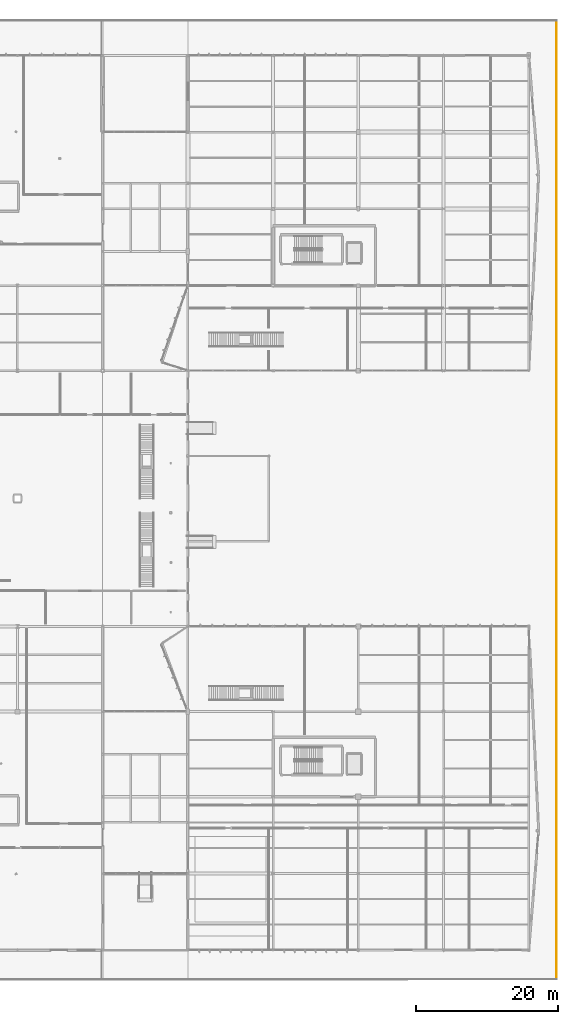
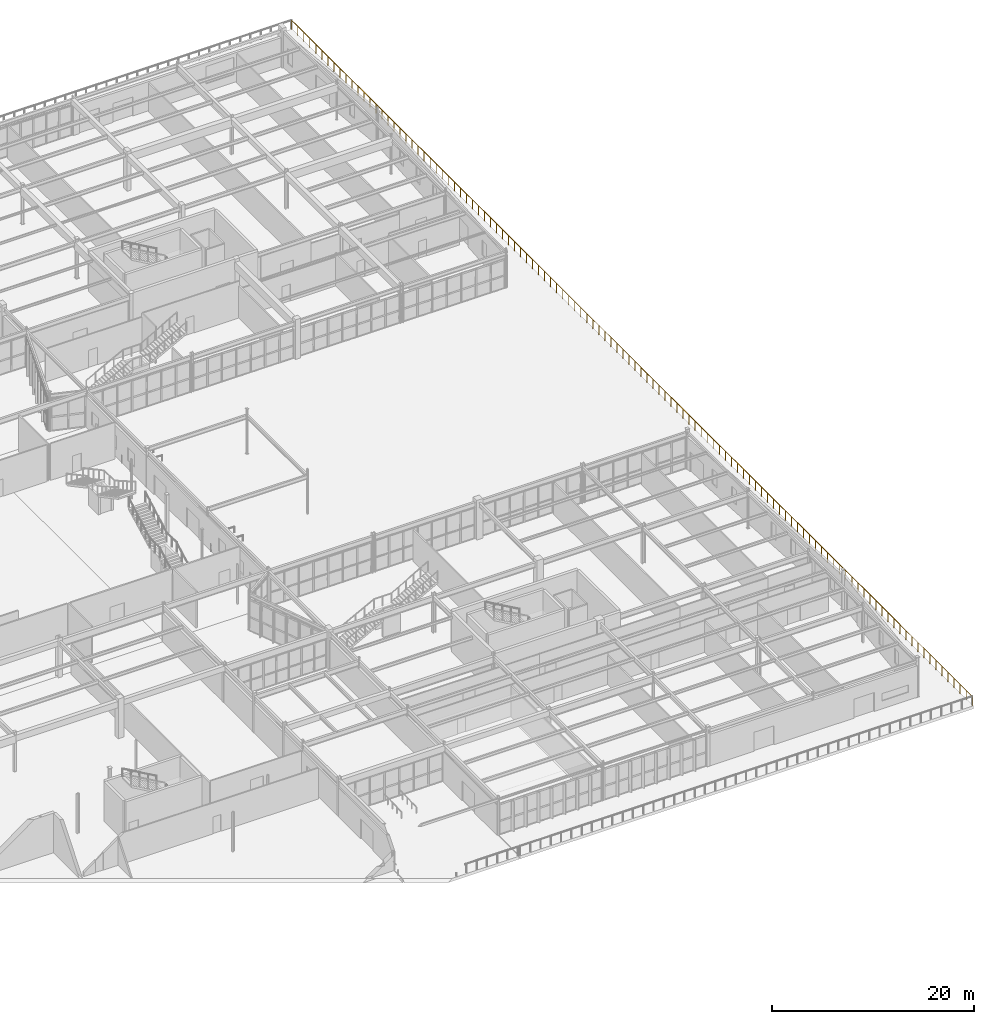
# One storey, part 194 of 199: 1 railing.
"""IFC4 building model written with IfcOpenShell, lengths in metres."""

from ifc_helpers import new_model, si_unit, direction, frame, origin, origin_2d, place, context, subcontext, project, spatial, circle, extrude, material, type_object, element, save


model = new_model("IFC4")

# Units and contexts
model_context = context("Model", 3, precision=1e-05, world=origin(), true_north=direction((0.0, 1.0)))
body_context = subcontext(model_context, "Body", "Model", "MODEL_VIEW")
ifc_project = project(units=[si_unit("LENGTHUNIT", "METRE"), si_unit("AREAUNIT", "SQUARE_METRE"), si_unit("VOLUMEUNIT", "CUBIC_METRE"), si_unit("PLANEANGLEUNIT", "RADIAN"), si_unit("MASSUNIT", "GRAM", prefix="KILO")], contexts=[model_context])

# Site, building, storey
site_placement = place(None, origin())
site = spatial("IfcSite", under=ifc_project, at=site_placement, CompositionType="ELEMENT")
building_placement = place(site_placement, origin())
building = spatial("IfcBuilding", under=site, at=building_placement, Name="Tarnwether General Hospital", CompositionType="ELEMENT")
storey_placement = place(building_placement, origin())
storey = spatial("IfcBuildingStorey", under=building, at=storey_placement, Name="L00", CompositionType="ELEMENT", Elevation=0.0)

# Railing
ifc_material = material(Name="Anodised aluminium", Category="aluminium")
railing_type = type_object("IfcRailingType", Name="RL-GRD-EXT", PredefinedType="GUARDRAIL", material=ifc_material)
railing_placement = place(storey_placement, frame((195.919921875, 130.919921875, 0.0)))
element("IfcRailing", 1, at=railing_placement, inside=storey, type_object=railing_type, Name="L00 Upper Scarp Arrival Plaza and Street Terrace SL-L00-PLAZA Guard 0001", PredefinedType="GUARDRAIL", context=body_context, shape_type="SweptSolid", body=[
    extrude(circle(Radius=0.02392578125, at=origin_2d()), frame((0.0, 0.0, 1.1259765625), z_axis=(0.0, -1.0, 0.0), x_axis=(1.0, 0.0, 0.0)), (0.0, 0.0, 1.0), 135.0400390625),
    extrude(circle(Radius=0.02099609375, at=origin_2d()), origin(), (0.0, 0.0, 1.0), 1.101806640625),
    extrude(circle(Radius=0.02099609375, at=origin_2d()), frame((0.0, -1.195068359375, 0.0)), (0.0, 0.0, 1.0), 1.101806640625),
    extrude(circle(Radius=0.02099609375, at=origin_2d()), frame((0.0, -2.39013671875, 0.0)), (0.0, 0.0, 1.0), 1.101806640625),
    extrude(circle(Radius=0.02099609375, at=origin_2d()), frame((0.0, -3.585205078125, 0.0)), (0.0, 0.0, 1.0), 1.101806640625),
    extrude(circle(Radius=0.02099609375, at=origin_2d()), frame((0.0, -4.7802734375, 0.0)), (0.0, 0.0, 1.0), 1.101806640625),
    extrude(circle(Radius=0.02099609375, at=origin_2d()), frame((0.0, -5.975341796875, 0.0)), (0.0, 0.0, 1.0), 1.101806640625),
    extrude(circle(Radius=0.02099609375, at=origin_2d()), frame((0.0, -7.170166015625, 0.0)), (0.0, 0.0, 1.0), 1.101806640625),
    extrude(circle(Radius=0.02099609375, at=origin_2d()), frame((0.0, -8.365234375, 0.0)), (0.0, 0.0, 1.0), 1.101806640625),
    extrude(circle(Radius=0.02099609375, at=origin_2d()), frame((0.0, -9.560302734375, 0.0)), (0.0, 0.0, 1.0), 1.101806640625),
    extrude(circle(Radius=0.02099609375, at=origin_2d()), frame((0.0, -10.75537109375, 0.0)), (0.0, 0.0, 1.0), 1.101806640625),
    extrude(circle(Radius=0.02099609375, at=origin_2d()), frame((0.0, -11.950439453125, 0.0)), (0.0, 0.0, 1.0), 1.101806640625),
    extrude(circle(Radius=0.02099609375, at=origin_2d()), frame((0.0, -13.1455078125, 0.0)), (0.0, 0.0, 1.0), 1.101806640625),
    extrude(circle(Radius=0.02099609375, at=origin_2d()), frame((0.0, -14.340576171875, 0.0)), (0.0, 0.0, 1.0), 1.101806640625),
    extrude(circle(Radius=0.02099609375, at=origin_2d()), frame((0.0, -15.53564453125, 0.0)), (0.0, 0.0, 1.0), 1.101806640625),
    extrude(circle(Radius=0.02099609375, at=origin_2d()), frame((0.0, -16.730712890625, 0.0)), (0.0, 0.0, 1.0), 1.101806640625),
    extrude(circle(Radius=0.02099609375, at=origin_2d()), frame((0.0, -17.92578125, 0.0)), (0.0, 0.0, 1.0), 1.101806640625),
    extrude(circle(Radius=0.02099609375, at=origin_2d()), frame((0.0, -19.12060546875, 0.0)), (0.0, 0.0, 1.0), 1.101806640625),
    extrude(circle(Radius=0.02099609375, at=origin_2d()), frame((0.0, -20.315673828125, 0.0)), (0.0, 0.0, 1.0), 1.101806640625),
    extrude(circle(Radius=0.02099609375, at=origin_2d()), frame((0.0, -21.5107421875, 0.0)), (0.0, 0.0, 1.0), 1.101806640625),
    extrude(circle(Radius=0.02099609375, at=origin_2d()), frame((0.0, -22.705810546875, 0.0)), (0.0, 0.0, 1.0), 1.101806640625),
    extrude(circle(Radius=0.02099609375, at=origin_2d()), frame((0.0, -23.90087890625, 0.0)), (0.0, 0.0, 1.0), 1.101806640625),
    extrude(circle(Radius=0.02099609375, at=origin_2d()), frame((0.0, -25.095947265625, 0.0)), (0.0, 0.0, 1.0), 1.101806640625),
    extrude(circle(Radius=0.02099609375, at=origin_2d()), frame((0.0, -26.291015625, 0.0)), (0.0, 0.0, 1.0), 1.101806640625),
    extrude(circle(Radius=0.02099609375, at=origin_2d()), frame((0.0, -27.486083984375, 0.0)), (0.0, 0.0, 1.0), 1.101806640625),
    extrude(circle(Radius=0.02099609375, at=origin_2d()), frame((0.0, -28.68115234375, 0.0)), (0.0, 0.0, 1.0), 1.101806640625),
    extrude(circle(Radius=0.02099609375, at=origin_2d()), frame((0.0, -29.876220703125, 0.0)), (0.0, 0.0, 1.0), 1.101806640625),
    extrude(circle(Radius=0.02099609375, at=origin_2d()), frame((0.0, -31.071044921875, 0.0)), (0.0, 0.0, 1.0), 1.101806640625),
    extrude(circle(Radius=0.02099609375, at=origin_2d()), frame((0.0, -32.26611328125, 0.0)), (0.0, 0.0, 1.0), 1.101806640625),
    extrude(circle(Radius=0.02099609375, at=origin_2d()), frame((0.0, -33.461181640625, 0.0)), (0.0, 0.0, 1.0), 1.101806640625),
    extrude(circle(Radius=0.02099609375, at=origin_2d()), frame((0.0, -34.65625, 0.0)), (0.0, 0.0, 1.0), 1.101806640625),
    extrude(circle(Radius=0.02099609375, at=origin_2d()), frame((0.0, -35.851318359375, 0.0)), (0.0, 0.0, 1.0), 1.101806640625),
    extrude(circle(Radius=0.02099609375, at=origin_2d()), frame((0.0, -37.04638671875, 0.0)), (0.0, 0.0, 1.0), 1.101806640625),
    extrude(circle(Radius=0.02099609375, at=origin_2d()), frame((0.0, -38.241455078125, 0.0)), (0.0, 0.0, 1.0), 1.101806640625),
    extrude(circle(Radius=0.02099609375, at=origin_2d()), frame((0.0, -39.4365234375, 0.0)), (0.0, 0.0, 1.0), 1.101806640625),
    extrude(circle(Radius=0.02099609375, at=origin_2d()), frame((0.0, -40.631591796875, 0.0)), (0.0, 0.0, 1.0), 1.101806640625),
    extrude(circle(Radius=0.02099609375, at=origin_2d()), frame((0.0, -41.82666015625, 0.0)), (0.0, 0.0, 1.0), 1.101806640625),
    extrude(circle(Radius=0.02099609375, at=origin_2d()), frame((0.0, -43.021484375, 0.0)), (0.0, 0.0, 1.0), 1.101806640625),
    extrude(circle(Radius=0.02099609375, at=origin_2d()), frame((0.0, -44.216552734375, 0.0)), (0.0, 0.0, 1.0), 1.101806640625),
    extrude(circle(Radius=0.02099609375, at=origin_2d()), frame((0.0, -45.41162109375, 0.0)), (0.0, 0.0, 1.0), 1.101806640625),
    extrude(circle(Radius=0.02099609375, at=origin_2d()), frame((0.0, -46.606689453125, 0.0)), (0.0, 0.0, 1.0), 1.101806640625),
    extrude(circle(Radius=0.02099609375, at=origin_2d()), frame((0.0, -47.8017578125, 0.0)), (0.0, 0.0, 1.0), 1.101806640625),
    extrude(circle(Radius=0.02099609375, at=origin_2d()), frame((0.0, -48.996826171875, 0.0)), (0.0, 0.0, 1.0), 1.101806640625),
    extrude(circle(Radius=0.02099609375, at=origin_2d()), frame((0.0, -50.19189453125, 0.0)), (0.0, 0.0, 1.0), 1.101806640625),
    extrude(circle(Radius=0.02099609375, at=origin_2d()), frame((0.0, -51.386962890625, 0.0)), (0.0, 0.0, 1.0), 1.101806640625),
    extrude(circle(Radius=0.02099609375, at=origin_2d()), frame((0.0, -52.58203125, 0.0)), (0.0, 0.0, 1.0), 1.101806640625),
    extrude(circle(Radius=0.02099609375, at=origin_2d()), frame((0.0, -53.777099609375, 0.0)), (0.0, 0.0, 1.0), 1.101806640625),
    extrude(circle(Radius=0.02099609375, at=origin_2d()), frame((0.0, -54.97216796875, 0.0)), (0.0, 0.0, 1.0), 1.101806640625),
    extrude(circle(Radius=0.02099609375, at=origin_2d()), frame((0.0, -56.1669921875, 0.0)), (0.0, 0.0, 1.0), 1.101806640625),
    extrude(circle(Radius=0.02099609375, at=origin_2d()), frame((0.0, -57.362060546875, 0.0)), (0.0, 0.0, 1.0), 1.101806640625),
    extrude(circle(Radius=0.02099609375, at=origin_2d()), frame((0.0, -58.55712890625, 0.0)), (0.0, 0.0, 1.0), 1.101806640625),
    extrude(circle(Radius=0.02099609375, at=origin_2d()), frame((0.0, -59.752197265625, 0.0)), (0.0, 0.0, 1.0), 1.101806640625),
    extrude(circle(Radius=0.02099609375, at=origin_2d()), frame((0.0, -60.947265625, 0.0)), (0.0, 0.0, 1.0), 1.101806640625),
    extrude(circle(Radius=0.02099609375, at=origin_2d()), frame((0.0, -62.142333984375, 0.0)), (0.0, 0.0, 1.0), 1.101806640625),
    extrude(circle(Radius=0.02099609375, at=origin_2d()), frame((0.0, -63.33740234375, 0.0)), (0.0, 0.0, 1.0), 1.101806640625),
    extrude(circle(Radius=0.02099609375, at=origin_2d()), frame((0.0, -64.532470703125, 0.0)), (0.0, 0.0, 1.0), 1.101806640625),
    extrude(circle(Radius=0.02099609375, at=origin_2d()), frame((0.0, -65.7275390625, 0.0)), (0.0, 0.0, 1.0), 1.101806640625),
    extrude(circle(Radius=0.02099609375, at=origin_2d()), frame((0.0, -66.922607421875, 0.0)), (0.0, 0.0, 1.0), 1.101806640625),
    extrude(circle(Radius=0.02099609375, at=origin_2d()), frame((0.0, -68.117431640625, 0.0)), (0.0, 0.0, 1.0), 1.101806640625),
    extrude(circle(Radius=0.02099609375, at=origin_2d()), frame((0.0, -69.3125, 0.0)), (0.0, 0.0, 1.0), 1.101806640625),
    extrude(circle(Radius=0.02099609375, at=origin_2d()), frame((0.0, -70.507568359375, 0.0)), (0.0, 0.0, 1.0), 1.101806640625),
    extrude(circle(Radius=0.02099609375, at=origin_2d()), frame((0.0, -71.70263671875, 0.0)), (0.0, 0.0, 1.0), 1.101806640625),
    extrude(circle(Radius=0.02099609375, at=origin_2d()), frame((0.0, -72.897705078125, 0.0)), (0.0, 0.0, 1.0), 1.101806640625),
    extrude(circle(Radius=0.02099609375, at=origin_2d()), frame((0.0, -74.0927734375, 0.0)), (0.0, 0.0, 1.0), 1.101806640625),
    extrude(circle(Radius=0.02099609375, at=origin_2d()), frame((0.0, -75.287841796875, 0.0)), (0.0, 0.0, 1.0), 1.101806640625),
    extrude(circle(Radius=0.02099609375, at=origin_2d()), frame((0.0, -76.48291015625, 0.0)), (0.0, 0.0, 1.0), 1.101806640625),
    extrude(circle(Radius=0.02099609375, at=origin_2d()), frame((0.0, -77.677978515625, 0.0)), (0.0, 0.0, 1.0), 1.101806640625),
    extrude(circle(Radius=0.02099609375, at=origin_2d()), frame((0.0, -78.873046875, 0.0)), (0.0, 0.0, 1.0), 1.101806640625),
    extrude(circle(Radius=0.02099609375, at=origin_2d()), frame((0.0, -80.06787109375, 0.0)), (0.0, 0.0, 1.0), 1.101806640625),
    extrude(circle(Radius=0.02099609375, at=origin_2d()), frame((0.0, -81.262939453125, 0.0)), (0.0, 0.0, 1.0), 1.101806640625),
    extrude(circle(Radius=0.02099609375, at=origin_2d()), frame((0.0, -82.4580078125, 0.0)), (0.0, 0.0, 1.0), 1.101806640625),
    extrude(circle(Radius=0.02099609375, at=origin_2d()), frame((0.0, -83.653076171875, 0.0)), (0.0, 0.0, 1.0), 1.101806640625),
    extrude(circle(Radius=0.02099609375, at=origin_2d()), frame((0.0, -84.84814453125, 0.0)), (0.0, 0.0, 1.0), 1.101806640625),
    extrude(circle(Radius=0.02099609375, at=origin_2d()), frame((0.0, -86.043212890625, 0.0)), (0.0, 0.0, 1.0), 1.101806640625),
    extrude(circle(Radius=0.02099609375, at=origin_2d()), frame((0.0, -87.23828125, 0.0)), (0.0, 0.0, 1.0), 1.101806640625),
    extrude(circle(Radius=0.02099609375, at=origin_2d()), frame((0.0, -88.433349609375, 0.0)), (0.0, 0.0, 1.0), 1.101806640625),
    extrude(circle(Radius=0.02099609375, at=origin_2d()), frame((0.0, -89.62841796875, 0.0)), (0.0, 0.0, 1.0), 1.101806640625),
    extrude(circle(Radius=0.02099609375, at=origin_2d()), frame((0.0, -90.823486328125, 0.0)), (0.0, 0.0, 1.0), 1.101806640625),
    extrude(circle(Radius=0.02099609375, at=origin_2d()), frame((0.0, -92.0185546875, 0.0)), (0.0, 0.0, 1.0), 1.101806640625),
    extrude(circle(Radius=0.02099609375, at=origin_2d()), frame((0.0, -93.21337890625, 0.0)), (0.0, 0.0, 1.0), 1.101806640625),
    extrude(circle(Radius=0.02099609375, at=origin_2d()), frame((0.0, -94.408447265625, 0.0)), (0.0, 0.0, 1.0), 1.101806640625),
    extrude(circle(Radius=0.02099609375, at=origin_2d()), frame((0.0, -95.603515625, 0.0)), (0.0, 0.0, 1.0), 1.101806640625),
    extrude(circle(Radius=0.02099609375, at=origin_2d()), frame((0.0, -96.798583984375, 0.0)), (0.0, 0.0, 1.0), 1.101806640625),
    extrude(circle(Radius=0.02099609375, at=origin_2d()), frame((0.0, -97.99365234375, 0.0)), (0.0, 0.0, 1.0), 1.101806640625),
    extrude(circle(Radius=0.02099609375, at=origin_2d()), frame((0.0, -99.188720703125, 0.0)), (0.0, 0.0, 1.0), 1.101806640625),
    extrude(circle(Radius=0.02099609375, at=origin_2d()), frame((0.0, -100.3837890625, 0.0)), (0.0, 0.0, 1.0), 1.101806640625),
    extrude(circle(Radius=0.02099609375, at=origin_2d()), frame((0.0, -101.578857421875, 0.0)), (0.0, 0.0, 1.0), 1.101806640625),
    extrude(circle(Radius=0.02099609375, at=origin_2d()), frame((0.0, -102.77392578125, 0.0)), (0.0, 0.0, 1.0), 1.101806640625),
    extrude(circle(Radius=0.02099609375, at=origin_2d()), frame((0.0, -103.968994140625, 0.0)), (0.0, 0.0, 1.0), 1.101806640625),
    extrude(circle(Radius=0.02099609375, at=origin_2d()), frame((0.0, -105.163818359375, 0.0)), (0.0, 0.0, 1.0), 1.101806640625),
    extrude(circle(Radius=0.02099609375, at=origin_2d()), frame((0.0, -106.35888671875, 0.0)), (0.0, 0.0, 1.0), 1.101806640625),
    extrude(circle(Radius=0.02099609375, at=origin_2d()), frame((0.0, -107.553955078125, 0.0)), (0.0, 0.0, 1.0), 1.101806640625),
    extrude(circle(Radius=0.02099609375, at=origin_2d()), frame((0.0, -108.7490234375, 0.0)), (0.0, 0.0, 1.0), 1.101806640625),
    extrude(circle(Radius=0.02099609375, at=origin_2d()), frame((0.0, -109.944091796875, 0.0)), (0.0, 0.0, 1.0), 1.101806640625),
    extrude(circle(Radius=0.02099609375, at=origin_2d()), frame((0.0, -111.13916015625, 0.0)), (0.0, 0.0, 1.0), 1.101806640625),
    extrude(circle(Radius=0.02099609375, at=origin_2d()), frame((0.0, -112.334228515625, 0.0)), (0.0, 0.0, 1.0), 1.101806640625),
    extrude(circle(Radius=0.02099609375, at=origin_2d()), frame((0.0, -113.529296875, 0.0)), (0.0, 0.0, 1.0), 1.101806640625),
    extrude(circle(Radius=0.02099609375, at=origin_2d()), frame((0.0, -114.724365234375, 0.0)), (0.0, 0.0, 1.0), 1.101806640625),
    extrude(circle(Radius=0.02099609375, at=origin_2d()), frame((0.0, -115.91943359375, 0.0)), (0.0, 0.0, 1.0), 1.101806640625),
    extrude(circle(Radius=0.02099609375, at=origin_2d()), frame((0.0, -117.1142578125, 0.0)), (0.0, 0.0, 1.0), 1.101806640625),
    extrude(circle(Radius=0.02099609375, at=origin_2d()), frame((0.0, -118.309326171875, 0.0)), (0.0, 0.0, 1.0), 1.101806640625),
    extrude(circle(Radius=0.02099609375, at=origin_2d()), frame((0.0, -119.50439453125, 0.0)), (0.0, 0.0, 1.0), 1.101806640625),
    extrude(circle(Radius=0.02099609375, at=origin_2d()), frame((0.0, -120.699462890625, 0.0)), (0.0, 0.0, 1.0), 1.101806640625),
    extrude(circle(Radius=0.02099609375, at=origin_2d()), frame((0.0, -121.89453125, 0.0)), (0.0, 0.0, 1.0), 1.101806640625),
    extrude(circle(Radius=0.02099609375, at=origin_2d()), frame((0.0, -123.089599609375, 0.0)), (0.0, 0.0, 1.0), 1.101806640625),
    extrude(circle(Radius=0.02099609375, at=origin_2d()), frame((0.0, -124.28466796875, 0.0)), (0.0, 0.0, 1.0), 1.101806640625),
    extrude(circle(Radius=0.02099609375, at=origin_2d()), frame((0.0, -125.479736328125, 0.0)), (0.0, 0.0, 1.0), 1.101806640625),
    extrude(circle(Radius=0.02099609375, at=origin_2d()), frame((0.0, -126.6748046875, 0.0)), (0.0, 0.0, 1.0), 1.101806640625),
    extrude(circle(Radius=0.02099609375, at=origin_2d()), frame((0.0, -127.869873046875, 0.0)), (0.0, 0.0, 1.0), 1.101806640625),
    extrude(circle(Radius=0.02099609375, at=origin_2d()), frame((0.0, -129.064697265625, 0.0)), (0.0, 0.0, 1.0), 1.101806640625),
    extrude(circle(Radius=0.02099609375, at=origin_2d()), frame((0.0, -130.259765625, 0.0)), (0.0, 0.0, 1.0), 1.101806640625),
    extrude(circle(Radius=0.02099609375, at=origin_2d()), frame((0.0, -131.454833984375, 0.0)), (0.0, 0.0, 1.0), 1.101806640625),
    extrude(circle(Radius=0.02099609375, at=origin_2d()), frame((0.0, -132.64990234375, 0.0)), (0.0, 0.0, 1.0), 1.101806640625),
    extrude(circle(Radius=0.02099609375, at=origin_2d()), frame((0.0, -133.844970703125, 0.0)), (0.0, 0.0, 1.0), 1.101806640625),
    extrude(circle(Radius=0.02099609375, at=origin_2d()), frame((0.0, -135.0400390625, 0.0)), (0.0, 0.0, 1.0), 1.101806640625),
])

save(model, "model.ifc")
